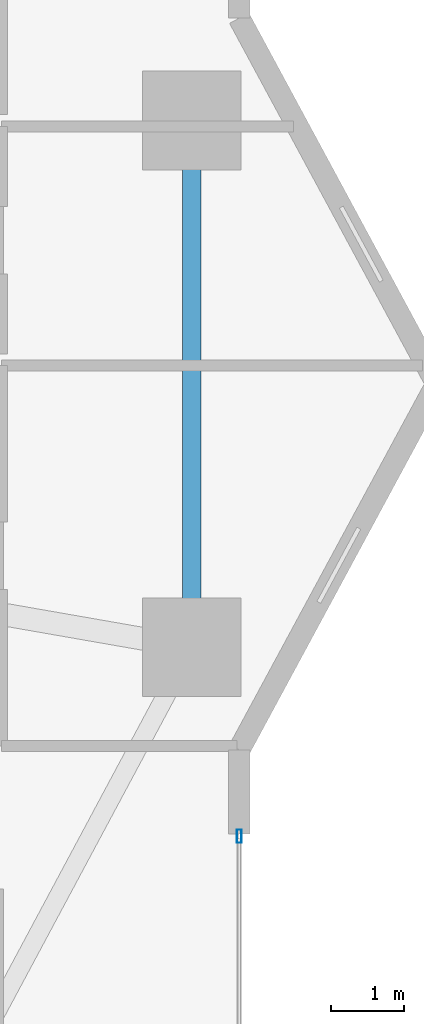
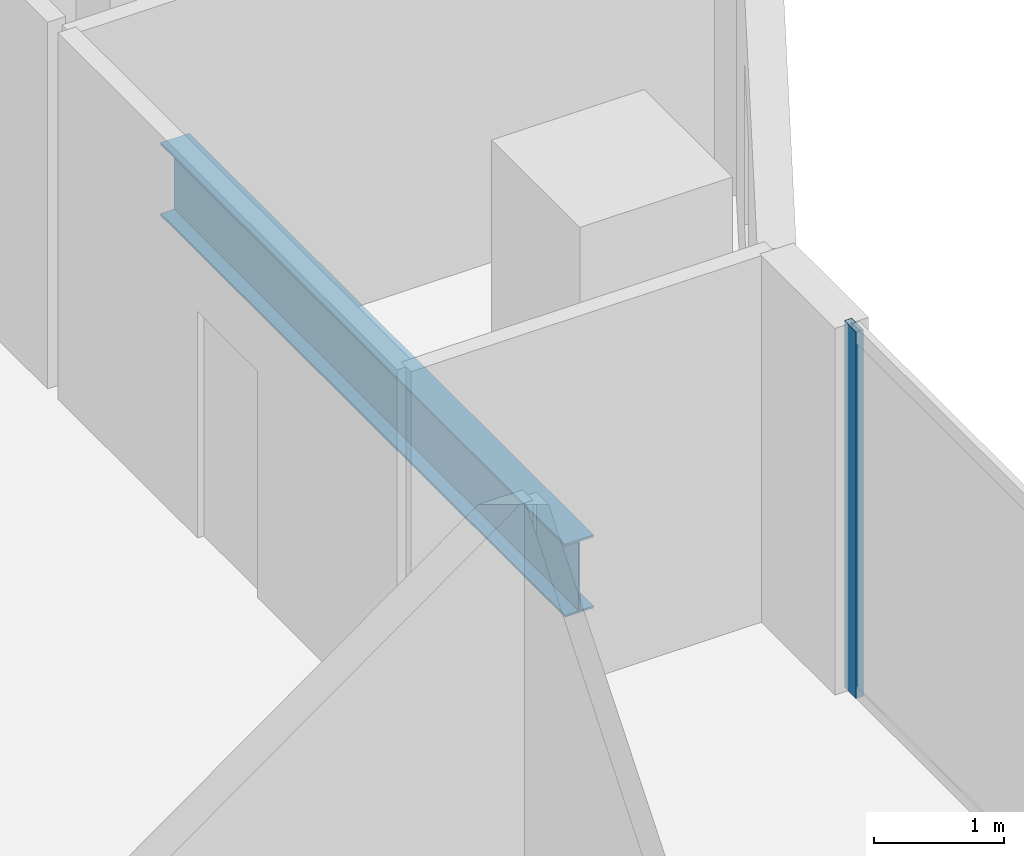
# One storey, part 13 of 28: 1 beam, 1 member, 1 element without a shape of its own.
"""IFC4 building model written with IfcOpenShell, lengths in metres."""

from ifc_helpers import new_model, si_unit, direction, frame, origin, origin_2d, place, context, subcontext, project, spatial, hollow_rectangle, i_section, extrude, material, layer, layer_set, material_profile, profile_set, type_object, element, aggregate, save


model = new_model("IFC4")

# Units and contexts
model_context = context("Model", 3, precision=1e-05, world=origin(), true_north=direction((0.0, 1.0)))
body_context = subcontext(model_context, "Body", "Model", "MODEL_VIEW")
ifc_project = project(units=[si_unit("LENGTHUNIT", "METRE"), si_unit("AREAUNIT", "SQUARE_METRE"), si_unit("VOLUMEUNIT", "CUBIC_METRE"), si_unit("PLANEANGLEUNIT", "RADIAN"), si_unit("MASSUNIT", "GRAM", prefix="KILO")], contexts=[model_context])

# Site, building, storey
site_placement = place(None, origin())
site = spatial("IfcSite", under=ifc_project, at=site_placement, CompositionType="ELEMENT")
building_placement = place(site_placement, origin())
building = spatial("IfcBuilding", under=site, at=building_placement, Name="Zuhayl Quay Hotel", CompositionType="ELEMENT")
storey_placement = place(building_placement, frame((0.0, 0.0, 121.199951171875)))
storey = spatial("IfcBuildingStorey", under=building, at=storey_placement, Name="L30", CompositionType="ELEMENT", Elevation=121.199951171875)

# Beam
ifc_material_1 = material(Name="Steel ASTM A992 Grade 50", Category="steel")
ifc_material_profile_1 = material_profile(ifc_material_1, i_section(OverallWidth=0.25390625, OverallDepth=0.68310546875, WebThickness=0.012451171875, FlangeThickness=0.018798828125, at=origin_2d()), Name="W27X94")
ifc_profile_set_1 = profile_set([ifc_material_profile_1], Name="Steel ASTM A992 Grade 50")
beam_type = type_object("IfcBeamType", Name="BM_B2_W27X94", PredefinedType="BEAM", material=ifc_profile_set_1)
beam_placement = place(storey_placement, frame((23.25, 3.39990234375, -0.5615234375), z_axis=(0.0, 1.0, 0.0), x_axis=(-1.0, 0.0, 0.0)))
element("IfcBeam", 1, at=beam_placement, inside=storey, type_object=beam_type, Name="L30 Floor Beam RG_L30_05", PredefinedType="BEAM", context=body_context, shape_type="SweptSolid", body=[
    extrude(i_section(OverallWidth=0.25390625, OverallDepth=0.68310546875, WebThickness=0.012451171875, FlangeThickness=0.018798828125, at=origin_2d()), origin(), (0.0, 0.0, 1.0), 6.2001953125),
])

# Curtain wall, member
ifc_material_2 = material(Name="Anodised Aluminium 6063-T6", Category="aluminium")
ifc_layer = layer(ifc_material_2, 0.179931640625, Name="Anodised Aluminium 6063-T6", Category="aluminium")
ifc_layer_set = layer_set([ifc_layer], Name="Anodised Aluminium 6063-T6")
curtain_wall_type = type_object("IfcCurtainWallType", Name="CW_SYS_Z2", PredefinedType="USERDEFINED", material=ifc_layer_set)
curtain_wall_placement = place(storey_placement, origin())
curtain_wall = element("IfcCurtainWall", 2, at=curtain_wall_placement, inside=storey, type_object=curtain_wall_type, Name="L30 Curtain Wall ENV_L30_E14_CW1", ObjectType="UNITISED CURTAIN WALL", PredefinedType="USERDEFINED")
ifc_material_3 = material(Name="Black-anodised aluminium 6063-T6", Category="aluminium")
ifc_material_profile_2 = material_profile(ifc_material_3, hollow_rectangle(XDim=0.06494140625, YDim=0.179931640625, WallThickness=0.00341796875, at=origin_2d()), Name="ALU180X65")
ifc_profile_set_2 = profile_set([ifc_material_profile_2], Name="Black-anodised aluminium 6063-T6")
member_type = type_object("IfcMemberType", Name="MB_CW_MUL_180", PredefinedType="MULLION", material=ifc_profile_set_2)
member_placement = place(storey_placement, frame((23.89990234375, 0.3173828125, 0.0), z_axis=(0.0, 0.0, 1.0), x_axis=(1.0, 0.0, 0.0)))
member = element("IfcMember", 3, at=member_placement, type_object=member_type, Name="CW-Z2 mullion 1", PredefinedType="MULLION", context=body_context, shape_type="SweptSolid", body=[
    extrude(hollow_rectangle(XDim=0.06494140625, YDim=0.179931640625, WallThickness=0.00341796875, at=origin_2d()), origin(), (0.0, 0.0, 1.0), 3.429931640625),
])
aggregate(curtain_wall, [member])

save(model, "model.ifc")
